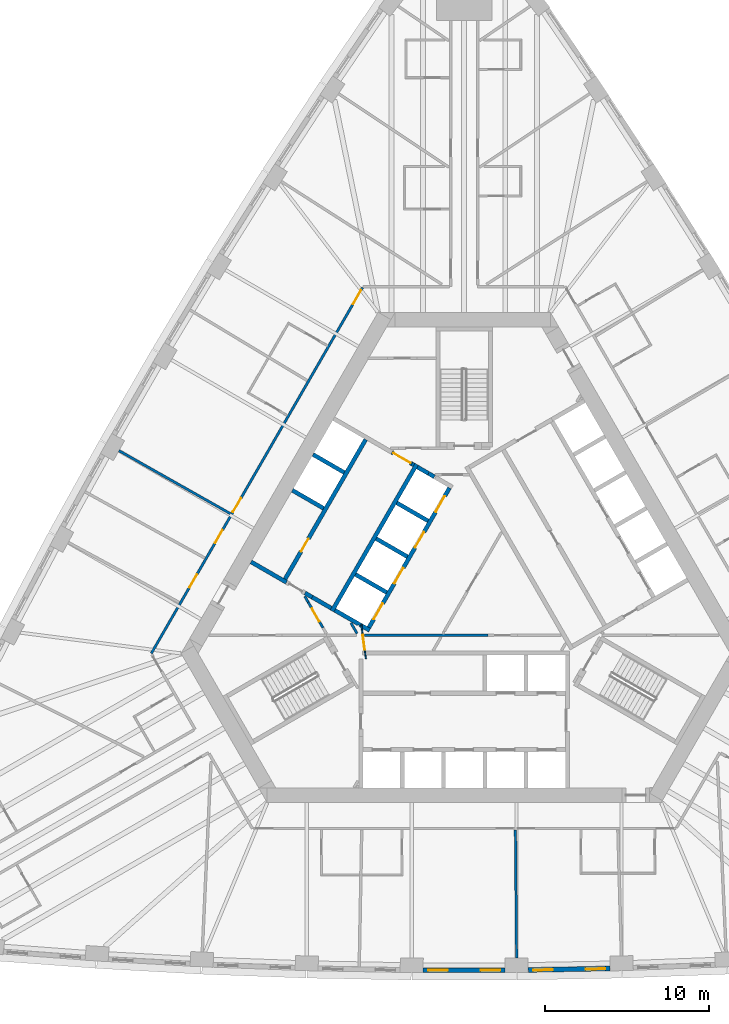
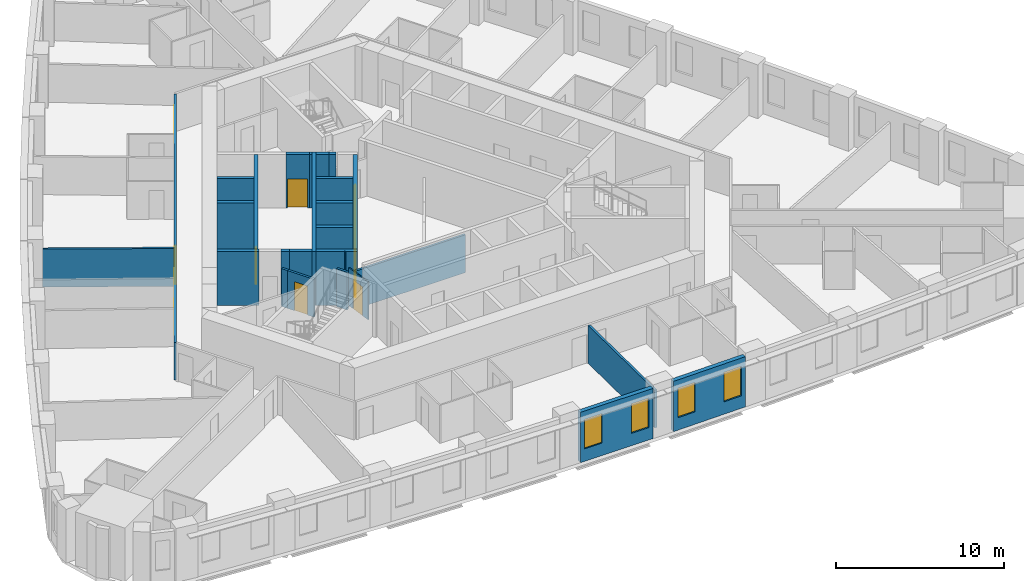
# One storey, part 5 of 13: 26 walls, 12 doors, 4 windows, 16 openings.
"""IFC4 building model written with IfcOpenShell, lengths in metres."""

from ifc_helpers import new_model, si_unit, direction, frame, frame_2d, origin, place, context, subcontext, project, spatial, polyline, rectangle, outline, extrude, material, layer, layer_set, type_object, element, fill, save


model = new_model("IFC4")

# Units and contexts
model_context = context("Model", 3, precision=1e-05, world=origin(), true_north=direction((0.0, 1.0)))
body_context = subcontext(model_context, "Body", "Model", "MODEL_VIEW")
ifc_project = project(units=[si_unit("LENGTHUNIT", "METRE"), si_unit("AREAUNIT", "SQUARE_METRE"), si_unit("VOLUMEUNIT", "CUBIC_METRE"), si_unit("PLANEANGLEUNIT", "RADIAN"), si_unit("MASSUNIT", "GRAM", prefix="KILO")], contexts=[model_context])

# Site, building, storey
site_placement = place(None, origin())
site = spatial("IfcSite", under=ifc_project, at=site_placement, CompositionType="ELEMENT")
building_placement = place(site_placement, origin())
building = spatial("IfcBuilding", under=site, at=building_placement, Name="Mestral Congress Tower", CompositionType="ELEMENT")
storey_placement = place(building_placement, frame((0.0, 0.0, 62.699951171875)))
storey = spatial("IfcBuildingStorey", under=building, at=storey_placement, Name="L14", CompositionType="ELEMENT", Elevation=62.699951171875)

# Walls
ifc_material_1 = material(Name="Fire-rated board partition")
ifc_layer_1 = layer(ifc_material_1, 0.14990234375)
ifc_layer_set_1 = layer_set([ifc_layer_1], Name="Fire-rated board partition")
wall_type_1 = type_object("IfcWallType", Name="Core partition 150", PredefinedType="PARTITIONING", material=ifc_layer_set_1)
wall_1_placement = place(storey_placement, frame((-6.53076171875, -2.68896484375, 0.0), z_axis=(0.0, 0.0, 1.0), x_axis=(-0.499967446111, 0.866044197965, 0.0)))
element("IfcWall", 1, at=wall_1_placement, inside=storey, type_object=wall_type_1, Name="L14 core wall", PredefinedType="PARTITIONING", context=body_context, shape_type="SweptSolid", body=[
    extrude(rectangle(XDim=0.74755859375, YDim=0.14990234375, at=frame_2d((0.373779296875, 0.0))), origin(), (0.0, 0.0, 1.0), 2.75),
])
wall_2_placement = place(storey_placement, frame((-6.086181640625, -2.801025390625, 0.0), z_axis=(0.0, 0.0, 1.0), x_axis=(1.0, 0.0, 0.0)))
element("IfcWall", 2, at=wall_2_placement, inside=storey, type_object=wall_type_1, Name="L14 core wall", PredefinedType="PARTITIONING", context=body_context, shape_type="SweptSolid", body=[
    extrude(rectangle(XDim=7.5244140625, YDim=0.14990234375, at=frame_2d((3.76220703125, 0.0))), origin(), (0.0, 0.0, 1.0), 2.75),
])
wall_3_placement = place(storey_placement, frame((-9.511962890625, -0.774658203125, 0.0), z_axis=(0.0, 0.0, 1.0), x_axis=(-0.500080620599, 0.865978852456, 0.0)))
element("IfcWall", 3, at=wall_3_placement, inside=storey, type_object=wall_type_1, Name="L14 core wall", PredefinedType="PARTITIONING", context=body_context, shape_type="SweptSolid", body=[
    extrude(rectangle(XDim=0.4130859375, YDim=0.14990234375, at=frame_2d((0.20654296875, 0.0))), origin(), (0.0, 0.0, 1.0), 2.75),
])

# Wall, opening, door
wall_4_placement = place(storey_placement, frame((-8.612060546875, -2.33349609375, 0.0), z_axis=(0.0, 0.0, 1.0), x_axis=(-0.499961193289, 0.866047807691, 0.0)))
wall_4 = element("IfcWall", 4, at=wall_4_placement, inside=storey, type_object=wall_type_1, Name="L14 door wall", PredefinedType="PARTITIONING", context=body_context, shape_type="SweptSolid", body=[
    extrude(rectangle(XDim=1.800048828125, YDim=0.14990234375, at=frame_2d((0.89990234375, 0.0))), origin(), (0.0, 0.0, 1.0), 2.75),
])
opening_1_placement = place(wall_4_placement, frame((0.449951171875, 0.0, 0.0)))
opening_1 = element("IfcOpeningElement", 5, at=opening_1_placement, cuts=wall_4, Name="Opening SD-HUB5", PredefinedType="OPENING", context=body_context, shape_type="SweptSolid", body=[
    extrude(rectangle(XDim=0.89990234375, YDim=2.10009765625, at=frame_2d((0.449951171875, 1.050048828125))), frame((0.0, 0.0849609375, 0.0), z_axis=(0.0, -1.0, 0.0), x_axis=(1.0, 0.0, 0.0)), (0.0, 0.0, 1.0), 0.169921875),
])
ifc_material_2 = material(Name="Fire-rated steel door set", Category="steel")
door_type_1 = type_object("IfcDoorType", Name="Core door SR 900x2100", OperationType="SINGLE_SWING_LEFT", PredefinedType="DOOR", material=ifc_material_2)
door_1_placement = place(opening_1_placement, origin())
door_1 = element("IfcDoor", 6, at=door_1_placement, inside=storey, type_object=door_type_1, Name="Door SD-HUB5", OperationType="SINGLE_SWING_LEFT", OverallHeight=2.10009765625, OverallWidth=0.89990234375, PredefinedType="DOOR", context=body_context, shape_type="SweptSolid", body=[
    extrude(rectangle(XDim=0.89990234375, YDim=2.10009765625, at=frame_2d((0.449951171875, 1.050048828125))), frame((0.0, 0.02490234375, 0.0), z_axis=(0.0, -1.0, 0.0), x_axis=(1.0, 0.0, 0.0)), (0.0, 0.0, 1.0), 0.050048828125),
])
fill(opening_1, door_1)

ifc_layer_2 = layer(ifc_material_1, 0.075927734375)
ifc_layer_set_2 = layer_set([ifc_layer_2], Name="Fire-rated board partition")
wall_type_2 = type_object("IfcWallType", Name="Core partition 150 door-wall 76", PredefinedType="PARTITIONING", material=ifc_layer_set_2)
wall_5_placement = place(storey_placement, frame((-5.99462890625, -4.213134765625, 0.0), z_axis=(0.0, 0.0, 1.0), x_axis=(-0.132072335448, 0.991240081014, 0.0)))
wall_5 = element("IfcWall", 7, at=wall_5_placement, inside=storey, type_object=wall_type_2, Name="L14 door wall", PredefinedType="PARTITIONING", context=body_context, shape_type="SweptSolid", body=[
    extrude(rectangle(XDim=2.099853515625, YDim=0.07568359375, at=frame_2d((1.0498046875, 0.0))), origin(), (0.0, 0.0, 1.0), 2.75),
])
opening_2_placement = place(wall_5_placement, frame((0.550048828125, 0.0, 0.0)))
opening_2 = element("IfcOpeningElement", 8, at=opening_2_placement, cuts=wall_5, Name="Opening CD3-HUB4", PredefinedType="OPENING", context=body_context, shape_type="SweptSolid", body=[
    extrude(rectangle(XDim=0.89990234375, YDim=2.10009765625, at=frame_2d((0.449951171875, 1.050048828125))), frame((0.0, 0.0478515625, 0.0), z_axis=(0.0, -1.0, 0.0), x_axis=(1.0, 0.0, 0.0)), (0.0, 0.0, 1.0), 0.095703125),
])
door_type_2 = type_object("IfcDoorType", Name="Core door CD 900x2100", OperationType="SINGLE_SWING_LEFT", PredefinedType="DOOR", material=ifc_material_2)
door_2_placement = place(opening_2_placement, origin())
door_2 = element("IfcDoor", 9, at=door_2_placement, inside=storey, type_object=door_type_2, Name="Door CD3-HUB4", OperationType="SINGLE_SWING_LEFT", OverallHeight=2.10009765625, OverallWidth=0.89990234375, PredefinedType="DOOR", context=body_context, shape_type="SweptSolid", body=[
    extrude(rectangle(XDim=0.89990234375, YDim=2.10009765625, at=frame_2d((0.449951171875, 1.050048828125))), frame((0.0, 0.02490234375, 0.0), z_axis=(0.0, -1.0, 0.0), x_axis=(1.0, 0.0, 0.0)), (0.0, 0.0, 1.0), 0.050048828125),
])
fill(opening_2, door_2)

# Wall, openings, windows
ifc_material_3 = material(Name="Precast concrete C40/50 with limestone facing", Category="masonry")
ifc_layer_3 = layer(ifc_material_3, 0.2900390625)
ifc_layer_set_3 = layer_set([ifc_layer_3], Name="Precast concrete C40/50 with limestone facing")
wall_type_3 = type_object("IfcWallType", Name="Facade stone wall 290", PredefinedType="SOLIDWALL", material=ifc_layer_set_3)
wall_6_placement = place(storey_placement, frame((-2.4990234375, -23.21826171875, 0.0), z_axis=(0.0, 0.0, 1.0), x_axis=(1.0, 0.0, 0.0)))
wall_6 = element("IfcWall", 10, at=wall_6_placement, inside=storey, type_object=wall_type_3, Name="Facade wall F0-04", PredefinedType="SOLIDWALL", context=body_context, shape_type="SweptSolid", body=[
    extrude(rectangle(XDim=4.998046875, YDim=0.2900390625, at=frame_2d((2.4990234375, 0.0))), origin(), (0.0, 0.0, 1.0), 3.650146484375),
])
opening_3_placement = place(wall_6_placement, frame((0.297119140625, 0.0, 0.89990234375)))
opening_3 = element("IfcOpeningElement", 11, at=opening_3_placement, cuts=wall_6, Name="Opening W1", PredefinedType="OPENING", context=body_context, shape_type="SweptSolid", body=[
    extrude(rectangle(XDim=1.199951171875, YDim=2.14990234375, at=frame_2d((0.60009765625, 1.074951171875))), frame((0.0, 0.155029296875, 0.0), z_axis=(0.0, -1.0, 0.0), x_axis=(1.0, 0.0, 0.0)), (0.0, 0.0, 1.0), 0.31005859375),
])
opening_4_placement = place(wall_6_placement, frame((3.501220703125, 0.0, 0.89990234375)))
opening_4 = element("IfcOpeningElement", 12, at=opening_4_placement, cuts=wall_6, Name="Opening W1", PredefinedType="OPENING", context=body_context, shape_type="SweptSolid", body=[
    extrude(rectangle(XDim=1.199951171875, YDim=2.14990234375, at=frame_2d((0.60009765625, 1.074951171875))), frame((0.0, 0.155029296875, 0.0), z_axis=(0.0, -1.0, 0.0), x_axis=(1.0, 0.0, 0.0)), (0.0, 0.0, 1.0), 0.31005859375),
])
ifc_material_4 = material(Name="Clear low-emissivity double glazing", Category="glass")
window_type = type_object("IfcWindowType", Name="Facade punched window 1200 x 2150 sill 900", PartitioningType="DOUBLE_PANEL_VERTICAL", PredefinedType="WINDOW", material=ifc_material_4)
window_1_placement = place(opening_3_placement, origin())
window_1 = element("IfcWindow", 13, at=window_1_placement, inside=storey, type_object=window_type, Name="Window F0-04a", OverallHeight=2.14990234375, OverallWidth=1.199951171875, PartitioningType="DOUBLE_PANEL_VERTICAL", PredefinedType="WINDOW", context=body_context, shape_type="SweptSolid", body=[
    extrude(rectangle(XDim=1.199951171875, YDim=2.14990234375, at=frame_2d((0.60009765625, 1.074951171875))), frame((0.0, 0.01513671875, 0.0), z_axis=(0.0, -1.0, 0.0), x_axis=(1.0, 0.0, 0.0)), (0.0, 0.0, 1.0), 0.06005859375),
])
fill(opening_3, window_1)
window_2_placement = place(opening_4_placement, origin())
window_2 = element("IfcWindow", 14, at=window_2_placement, inside=storey, type_object=window_type, Name="Window F0-04b", OverallHeight=2.14990234375, OverallWidth=1.199951171875, PartitioningType="DOUBLE_PANEL_VERTICAL", PredefinedType="WINDOW", context=body_context, shape_type="SweptSolid", body=[
    extrude(rectangle(XDim=1.199951171875, YDim=2.14990234375, at=frame_2d((0.60009765625, 1.074951171875))), frame((0.0, 0.01513671875, 0.0), z_axis=(0.0, -1.0, 0.0), x_axis=(1.0, 0.0, 0.0)), (0.0, 0.0, 1.0), 0.06005859375),
])
fill(opening_4, window_2)

wall_7_placement = place(storey_placement, frame((3.90625, -23.205078125, 0.0), z_axis=(0.0, 0.0, 1.0), x_axis=(0.999829529479, 0.018463801951, 0.0)))
wall_7 = element("IfcWall", 15, at=wall_7_placement, inside=storey, type_object=wall_type_3, Name="Facade wall F0-05", PredefinedType="SOLIDWALL", context=body_context, shape_type="SweptSolid", body=[
    extrude(rectangle(XDim=4.998046875, YDim=0.2900390625, at=frame_2d((2.4990234375, 0.0))), origin(), (0.0, 0.0, 1.0), 3.650146484375),
])
opening_5_placement = place(wall_7_placement, frame((0.297119140625, 0.0, 0.89990234375)))
opening_5 = element("IfcOpeningElement", 16, at=opening_5_placement, cuts=wall_7, Name="Opening W1", PredefinedType="OPENING", context=body_context, shape_type="SweptSolid", body=[
    extrude(rectangle(XDim=1.199951171875, YDim=2.14990234375, at=frame_2d((0.60009765625, 1.074951171875))), frame((0.0, 0.155029296875, 0.0), z_axis=(0.0, -1.0, 0.0), x_axis=(1.0, 0.0, 0.0)), (0.0, 0.0, 1.0), 0.31005859375),
])
opening_6_placement = place(wall_7_placement, frame((3.501220703125, 0.0, 0.89990234375)))
opening_6 = element("IfcOpeningElement", 17, at=opening_6_placement, cuts=wall_7, Name="Opening W1", PredefinedType="OPENING", context=body_context, shape_type="SweptSolid", body=[
    extrude(rectangle(XDim=1.199951171875, YDim=2.14990234375, at=frame_2d((0.60009765625, 1.074951171875))), frame((0.0, 0.155029296875, 0.0), z_axis=(0.0, -1.0, 0.0), x_axis=(1.0, 0.0, 0.0)), (0.0, 0.0, 1.0), 0.31005859375),
])
window_3_placement = place(opening_5_placement, origin())
window_3 = element("IfcWindow", 18, at=window_3_placement, inside=storey, type_object=window_type, Name="Window F0-05a", OverallHeight=2.14990234375, OverallWidth=1.199951171875, PartitioningType="DOUBLE_PANEL_VERTICAL", PredefinedType="WINDOW", context=body_context, shape_type="SweptSolid", body=[
    extrude(rectangle(XDim=1.199951171875, YDim=2.14990234375, at=frame_2d((0.60009765625, 1.074951171875))), frame((0.0, 0.01513671875, 0.0), z_axis=(0.0, -1.0, 0.0), x_axis=(1.0, 0.0, 0.0)), (0.0, 0.0, 1.0), 0.06005859375),
])
fill(opening_5, window_3)
window_4_placement = place(opening_6_placement, origin())
window_4 = element("IfcWindow", 19, at=window_4_placement, inside=storey, type_object=window_type, Name="Window F0-05b", OverallHeight=2.14990234375, OverallWidth=1.199951171875, PartitioningType="DOUBLE_PANEL_VERTICAL", PredefinedType="WINDOW", context=body_context, shape_type="SweptSolid", body=[
    extrude(rectangle(XDim=1.199951171875, YDim=2.14990234375, at=frame_2d((0.60009765625, 1.074951171875))), frame((0.0, 0.01513671875, 0.0), z_axis=(0.0, -1.0, 0.0), x_axis=(1.0, 0.0, 0.0)), (0.0, 0.0, 1.0), 0.06005859375),
])
fill(opening_6, window_4)

# Wall, openings, doors
ifc_material_5 = material(Name="Gypsum board partition on metal studs with mineral wool", Category="composite")
ifc_layer_4 = layer(ifc_material_5, 0.14990234375)
ifc_layer_set_4 = layer_set([ifc_layer_4], Name="Gypsum board partition on metal studs with mineral wool")
wall_type_4 = type_object("IfcWallType", Name="Hotel partition wall 150", PredefinedType="PARTITIONING", material=ifc_layer_set_4)
wall_8_placement = place(storey_placement, frame((-19.081298828125, -3.89990234375, 0.0), z_axis=(0.0, 0.0, 1.0), x_axis=(0.499998313975, 0.866026377209, 0.0)))
wall_8 = element("IfcWall", 20, at=wall_8_placement, inside=storey, type_object=wall_type_4, Name="L14-h-cw08", PredefinedType="PARTITIONING", context=body_context, shape_type="SweptSolid", body=[
    extrude(rectangle(XDim=25.76611328125, YDim=0.14990234375, at=frame_2d((12.883056640625, 0.0))), origin(), (0.0, 0.0, 1.0), 2.75),
])
opening_7_placement = place(wall_8_placement, frame((24.58642578125, 0.0, 0.0)))
opening_7 = element("IfcOpeningElement", 21, at=opening_7_placement, cuts=wall_8, Name="Opening H04-035", PredefinedType="OPENING", context=body_context, shape_type="SweptSolid", body=[
    extrude(rectangle(XDim=1.0, YDim=2.10009765625, at=frame_2d((0.5, 1.050048828125))), frame((0.0, 0.0849609375, 0.0), z_axis=(0.0, -1.0, 0.0), x_axis=(1.0, 0.0, 0.0)), (0.0, 0.0, 1.0), 0.169921875),
])
opening_8_placement = place(wall_8_placement, frame((9.94775390625, 0.0, 0.0)))
opening_8 = element("IfcOpeningElement", 22, at=opening_8_placement, cuts=wall_8, Name="Opening H04-037", PredefinedType="OPENING", context=body_context, shape_type="SweptSolid", body=[
    extrude(rectangle(XDim=1.0, YDim=2.10009765625, at=frame_2d((0.5, 1.050048828125))), frame((0.0, 0.0849609375, 0.0), z_axis=(0.0, -1.0, 0.0), x_axis=(1.0, 0.0, 0.0)), (0.0, 0.0, 1.0), 0.169921875),
])
opening_9_placement = place(wall_8_placement, frame((7.7822265625, 0.0, 0.0)))
opening_9 = element("IfcOpeningElement", 23, at=opening_9_placement, cuts=wall_8, Name="Opening H04-039", PredefinedType="OPENING", context=body_context, shape_type="SweptSolid", body=[
    extrude(rectangle(XDim=0.89990234375, YDim=2.10009765625, at=frame_2d((0.449951171875, 1.050048828125))), frame((0.0, 0.0849609375, 0.0), z_axis=(0.0, -1.0, 0.0), x_axis=(1.0, 0.0, 0.0)), (0.0, 0.0, 1.0), 0.169921875),
])
opening_10_placement = place(wall_8_placement, frame((4.65771484375, 0.0, 0.0)))
opening_10 = element("IfcOpeningElement", 24, at=opening_10_placement, cuts=wall_8, Name="Opening H04-040", PredefinedType="OPENING", context=body_context, shape_type="SweptSolid", body=[
    extrude(rectangle(XDim=0.89990234375, YDim=2.10009765625, at=frame_2d((0.449951171875, 1.050048828125))), frame((0.0, 0.0849609375, 0.0), z_axis=(0.0, -1.0, 0.0), x_axis=(1.0, 0.0, 0.0)), (0.0, 0.0, 1.0), 0.169921875),
])
ifc_material_6 = material(Name="Timber veneer door leaf in metal frame", Category="wood")
door_type_3 = type_object("IfcDoorType", Name="Guest room entrance door 1000", OperationType="SINGLE_SWING_LEFT", PredefinedType="DOOR", material=ifc_material_6)
door_3_placement = place(opening_7_placement, origin())
door_3 = element("IfcDoor", 25, at=door_3_placement, inside=storey, type_object=door_type_3, Name="L14-h-d035", OperationType="SINGLE_SWING_RIGHT", OverallHeight=2.10009765625, OverallWidth=1.0, PredefinedType="DOOR", context=body_context, shape_type="SweptSolid", body=[
    extrude(rectangle(XDim=1.0, YDim=2.10009765625, at=frame_2d((0.5, 1.050048828125))), frame((0.0, 0.02490234375, 0.0), z_axis=(0.0, -1.0, 0.0), x_axis=(1.0, 0.0, 0.0)), (0.0, 0.0, 1.0), 0.050048828125),
])
fill(opening_7, door_3)
door_4_placement = place(opening_8_placement, origin())
door_4 = element("IfcDoor", 26, at=door_4_placement, inside=storey, type_object=door_type_3, Name="L14-h-d037", OperationType="SINGLE_SWING_LEFT", OverallHeight=2.10009765625, OverallWidth=1.0, PredefinedType="DOOR", context=body_context, shape_type="SweptSolid", body=[
    extrude(rectangle(XDim=1.0, YDim=2.10009765625, at=frame_2d((0.5, 1.050048828125))), frame((0.0, 0.02490234375, 0.0), z_axis=(0.0, -1.0, 0.0), x_axis=(1.0, 0.0, 0.0)), (0.0, 0.0, 1.0), 0.050048828125),
])
fill(opening_8, door_4)
door_type_4 = type_object("IfcDoorType", Name="Service room door 900", OperationType="SINGLE_SWING_LEFT", PredefinedType="DOOR", material=ifc_material_6)
door_5_placement = place(opening_9_placement, origin())
door_5 = element("IfcDoor", 27, at=door_5_placement, inside=storey, type_object=door_type_4, Name="L14-h-d039", OperationType="SINGLE_SWING_RIGHT", OverallHeight=2.10009765625, OverallWidth=0.89990234375, PredefinedType="DOOR", context=body_context, shape_type="SweptSolid", body=[
    extrude(rectangle(XDim=0.89990234375, YDim=2.10009765625, at=frame_2d((0.449951171875, 1.050048828125))), frame((0.0, 0.02490234375, 0.0), z_axis=(0.0, -1.0, 0.0), x_axis=(1.0, 0.0, 0.0)), (0.0, 0.0, 1.0), 0.050048828125),
])
fill(opening_9, door_5)
door_6_placement = place(opening_10_placement, origin())
door_6 = element("IfcDoor", 28, at=door_6_placement, inside=storey, type_object=door_type_4, Name="L14-h-d040", OperationType="SINGLE_SWING_LEFT", OverallHeight=2.10009765625, OverallWidth=0.89990234375, PredefinedType="DOOR", context=body_context, shape_type="SweptSolid", body=[
    extrude(rectangle(XDim=0.89990234375, YDim=2.10009765625, at=frame_2d((0.449951171875, 1.050048828125))), frame((0.0, 0.02490234375, 0.0), z_axis=(0.0, -1.0, 0.0), x_axis=(1.0, 0.0, 0.0)), (0.0, 0.0, 1.0), 0.050048828125),
])
fill(opening_10, door_6)

# Walls
for number, where, z_axis, x_axis, name in (
    (29, (-21.051513671875, 8.464111328125, 0.0), (0.0, 0.0, 1.0), (0.87059371954, -0.492002617368, 0.0), "L14-h-pw06"),
    (30, (3.19580078125, -22.463134765625, 0.0), (0.0, 0.0, 1.0), (-0.00926060032, 0.999957119721, 0.0), "L14-h-pw14"),
):
    element("IfcWall", number, at=place(storey_placement, frame(where, z_axis=z_axis, x_axis=x_axis)), inside=storey, type_object=wall_type_4, Name=name, PredefinedType="PARTITIONING", context=body_context, shape_type="SweptSolid", body=[
        extrude(rectangle(XDim=7.803466796875, YDim=0.14990234375, at=frame_2d((3.90185546875, 0.0))), origin(), (0.0, 0.0, 1.0), 2.75),
    ])
ifc_material_7 = material(Name="Concrete C60/75", Category="concrete")
ifc_layer_5 = layer(ifc_material_7, 0.25)
ifc_layer_set_5 = layer_set([ifc_layer_5], Name="Concrete C60/75")
wall_type_5 = type_object("IfcWallType", Name="Shaft wall RC 250", PredefinedType="SOLIDWALL", material=ifc_layer_set_5)
wall_9_placement = place(storey_placement, frame((-8.06005859375, -1.310546875, 0.0), z_axis=(0.0, 0.0, 1.0), x_axis=(0.50000273126, 0.866023826885, 0.0)))
element("IfcWall", 31, at=wall_9_placement, inside=storey, type_object=wall_type_5, Name="L14 core wall", PredefinedType="SOLIDWALL", context=body_context, shape_type="SweptSolid", body=[
    extrude(rectangle(XDim=10.330078125, YDim=0.25, at=frame_2d((5.1650390625, 0.0))), origin(), (0.0, 0.0, 1.0), 3.900146484375),
])
wall_10_placement = place(storey_placement, frame((-1.818603515625, 6.869873046875, 0.0), z_axis=(0.0, 0.0, 1.0), x_axis=(-0.866294599386, 0.499533449405, 0.0)))
element("IfcWall", 32, at=wall_10_placement, inside=storey, type_object=wall_type_5, Name="L14 core wall", PredefinedType="SOLIDWALL", context=body_context, shape_type="SweptSolid", body=[
    extrude(rectangle(XDim=0.41015625, YDim=0.25, at=frame_2d((0.205078125, 0.0))), origin(), (0.0, 0.0, 1.0), 3.900146484375),
])
wall_11_placement = place(storey_placement, frame((-2.849365234375, 7.46484375, 0.0), z_axis=(0.0, 0.0, 1.0), x_axis=(0.865955664968, -0.500120771724, 0.0)))
element("IfcWall", 33, at=wall_11_placement, inside=storey, type_object=wall_type_5, Name="L14 core wall", PredefinedType="SOLIDWALL", context=body_context, shape_type="SweptSolid", body=[
    extrude(rectangle(XDim=0.778076171875, YDim=0.25, at=frame_2d((0.38916015625, 0.0))), origin(), (0.0, 0.0, 1.0), 3.900146484375),
])
for number, where, z_axis, x_axis, name in (
    (34, (-2.2041015625, 4.182373046875, 0.0), (0.0, 0.0, 1.0), (-0.866008176907, 0.50002983664, 0.0), "L14 core wall"),
    (35, (-5.369384765625, 3.10009765625, 0.0), (0.0, 0.0, 1.0), (0.866008176907, -0.50002983664, 0.0), "L14 core wall"),
    (36, (-4.72412109375, -0.182373046875, 0.0), (0.0, 0.0, 1.0), (-0.866008176907, 0.50002983664, 0.0), "L14 core wall"),
):
    element("IfcWall", number, at=place(storey_placement, frame(where, z_axis=z_axis, x_axis=x_axis)), inside=storey, type_object=wall_type_5, Name=name, PredefinedType="SOLIDWALL", context=body_context, shape_type="SweptSolid", body=[
        extrude(rectangle(XDim=2.199951171875, YDim=0.25, at=frame_2d((1.10009765625, 0.0))), origin(), (0.0, 0.0, 1.0), 3.900146484375),
    ])
placement = place(storey_placement, origin())
element("IfcWall", 37, at=placement, inside=storey, type_object=wall_type_5, Name="L14 core wall", PredefinedType="SOLIDWALL", context=body_context, shape_type="SweptSolid", body=[
    extrude(outline(polyline([(-5.921630859375, -2.256591796875), (-5.921630859375, -2.256591796875), (-5.705078125, -2.381591796875), (-5.830078125, -2.597900390625), (-6.41845703125, -2.25830078125), (-6.4326171875, -2.153076171875), (-6.4326171875, -2.15283203125), (-6.4326171875, -2.15283203125), (-6.5078125, -2.162841796875), (-6.5078125, -2.162841796875), (-6.5078125, -2.1630859375), (-6.50146484375, -2.21044921875), (-7.951904296875, -1.373046875), (-7.826904296875, -1.156494140625), (-5.921630859375, -2.256591796875)])), origin(), (0.0, 0.0, 1.0), 3.900146484375),
])
wall_13_placement = place(storey_placement, frame((-9.7080078125, -0.21484375, 0.0), z_axis=(0.0, 0.0, 1.0), x_axis=(0.866113839764, -0.499846793097, 0.0)))
element("IfcWall", 38, at=wall_13_placement, inside=storey, type_object=wall_type_5, Name="L14 core wall", PredefinedType="SOLIDWALL", context=body_context, shape_type="SweptSolid", body=[
    extrude(rectangle(XDim=0.510009765625, YDim=0.25, at=frame_2d((0.2548828125, 0.0))), origin(), (0.0, 0.0, 1.0), 3.900146484375),
])
wall_14_placement = place(storey_placement, frame((-12.998779296875, 1.685302734375, 0.0), z_axis=(0.0, 0.0, 1.0), x_axis=(0.865996765544, -0.500049599607, 0.0)))
element("IfcWall", 39, at=wall_14_placement, inside=storey, type_object=wall_type_5, Name="L14 core wall", PredefinedType="SOLIDWALL", context=body_context, shape_type="SweptSolid", body=[
    extrude(rectangle(XDim=2.497802734375, YDim=0.25, at=frame_2d((1.2490234375, 0.0))), origin(), (0.0, 0.0, 1.0), 3.900146484375),
])
wall_15_placement = place(storey_placement, frame((-9.2646484375, -0.470703125, 0.0), z_axis=(0.0, 0.0, 1.0), x_axis=(0.865954634268, -0.500122556369, 0.0)))
element("IfcWall", 40, at=wall_15_placement, inside=storey, type_object=wall_type_5, Name="L14 core wall", PredefinedType="SOLIDWALL", context=body_context, shape_type="SweptSolid", body=[
    extrude(rectangle(XDim=1.338134765625, YDim=0.25, at=frame_2d((0.6689453125, 0.0))), origin(), (0.0, 0.0, 1.0), 3.900146484375),
])
element("IfcWall", 41, at=placement, inside=storey, type_object=wall_type_5, Name="L14 core wall", PredefinedType="SOLIDWALL", context=body_context, shape_type="SweptSolid", body=[
    extrude(outline(polyline([(-3.12841796875, 7.4814453125), (-3.2587890625, 7.556640625), (-3.1337890625, 7.773193359375), (-3.00341796875, 7.697998046875), (-3.12841796875, 7.4814453125)])), origin(), (0.0, 0.0, 1.0), 3.900146484375),
])
for number, where, z_axis, x_axis, name in (
    (42, (-8.57373046875, 4.949951171875, 0.0), (0.0, 0.0, 1.0), (-0.866008176907, 0.50002983664, 0.0), "L14 core wall"),
    (43, (-7.313720703125, 7.13232421875, 0.0), (0.0, 0.0, 1.0), (-0.866008176907, 0.50002983664, 0.0), "L14 core wall"),
):
    element("IfcWall", number, at=place(storey_placement, frame(where, z_axis=z_axis, x_axis=x_axis)), inside=storey, type_object=wall_type_5, Name=name, PredefinedType="SOLIDWALL", context=body_context, shape_type="SweptSolid", body=[
        extrude(rectangle(XDim=2.199951171875, YDim=0.25, at=frame_2d((1.10009765625, 0.0))), origin(), (0.0, 0.0, 1.0), 3.900146484375),
    ])

# Wall, opening, door
wall_17_placement = place(storey_placement, frame((-6.0078125, 9.14404296875, 0.0), z_axis=(0.0, 0.0, 1.0), x_axis=(-0.500006956611, -0.866021387346, 0.0)))
wall_17 = element("IfcWall", 44, at=wall_17_placement, inside=storey, type_object=wall_type_5, Name="L14 door wall", PredefinedType="SOLIDWALL", context=body_context, shape_type="SweptSolid", body=[
    extrude(rectangle(XDim=9.829833984375, YDim=0.25, at=frame_2d((4.9150390625, 0.0))), origin(), (0.0, 0.0, 1.0), 3.900146484375),
])
opening_11_placement = place(wall_17_placement, frame((6.985107421875, 0.0, 0.0)))
opening_11 = element("IfcOpeningElement", 45, at=opening_11_placement, cuts=wall_17, Name="Opening SR-NWA2", PredefinedType="OPENING", context=body_context, shape_type="SweptSolid", body=[
    extrude(rectangle(XDim=0.89990234375, YDim=2.10009765625, at=frame_2d((0.449951171875, 1.050048828125))), frame((0.0, 0.135009765625, 0.0), z_axis=(0.0, -1.0, 0.0), x_axis=(1.0, 0.0, 0.0)), (0.0, 0.0, 1.0), 0.27001953125),
])
door_7_placement = place(opening_11_placement, origin())
door_7 = element("IfcDoor", 46, at=door_7_placement, inside=storey, type_object=door_type_1, Name="Door SR-NWA2", OperationType="SINGLE_SWING_LEFT", OverallHeight=2.10009765625, OverallWidth=0.89990234375, PredefinedType="DOOR", context=body_context, shape_type="SweptSolid", body=[
    extrude(rectangle(XDim=0.89990234375, YDim=2.10009765625, at=frame_2d((0.449951171875, 1.050048828125))), frame((0.0, 0.02490234375, 0.0), z_axis=(0.0, -1.0, 0.0), x_axis=(1.0, 0.0, 0.0)), (0.0, 0.0, 1.0), 0.050048828125),
])
fill(opening_11, door_7)

# Wall, openings, doors
wall_18_placement = place(storey_placement, frame((-0.898193359375, 6.194091796875, 0.0), z_axis=(0.0, 0.0, 1.0), x_axis=(-0.499996202215, -0.866027596426, 0.0)))
wall_18 = element("IfcWall", 47, at=wall_18_placement, inside=storey, type_object=wall_type_5, Name="L14 door wall", PredefinedType="SOLIDWALL", context=body_context, shape_type="SweptSolid", body=[
    extrude(rectangle(XDim=9.830078125, YDim=0.25, at=frame_2d((4.9150390625, 0.0))), origin(), (0.0, 0.0, 1.0), 3.900146484375),
])
opening_12_placement = place(wall_18_placement, frame((0.5849609375, 0.0, 0.0)))
opening_12 = element("IfcOpeningElement", 48, at=opening_12_placement, cuts=wall_18, Name="Opening LD-NWB1", PredefinedType="OPENING", context=body_context, shape_type="SweptSolid", body=[
    extrude(rectangle(XDim=1.10009765625, YDim=2.10009765625, at=frame_2d((0.550048828125, 1.050048828125))), frame((0.0, 0.135009765625, 0.0), z_axis=(0.0, -1.0, 0.0), x_axis=(1.0, 0.0, 0.0)), (0.0, 0.0, 1.0), 0.27001953125),
])
opening_13_placement = place(wall_18_placement, frame((3.10498046875, 0.0, 0.0)))
opening_13 = element("IfcOpeningElement", 49, at=opening_13_placement, cuts=wall_18, Name="Opening LD-NWB2", PredefinedType="OPENING", context=body_context, shape_type="SweptSolid", body=[
    extrude(rectangle(XDim=1.10009765625, YDim=2.10009765625, at=frame_2d((0.550048828125, 1.050048828125))), frame((0.0, 0.135009765625, 0.0), z_axis=(0.0, -1.0, 0.0), x_axis=(1.0, 0.0, 0.0)), (0.0, 0.0, 1.0), 0.27001953125),
])
opening_14_placement = place(wall_18_placement, frame((5.625, 0.0, 0.0)))
opening_14 = element("IfcOpeningElement", 50, at=opening_14_placement, cuts=wall_18, Name="Opening LD-NWB3", PredefinedType="OPENING", context=body_context, shape_type="SweptSolid", body=[
    extrude(rectangle(XDim=1.10009765625, YDim=2.10009765625, at=frame_2d((0.550048828125, 1.050048828125))), frame((0.0, 0.135009765625, 0.0), z_axis=(0.0, -1.0, 0.0), x_axis=(1.0, 0.0, 0.0)), (0.0, 0.0, 1.0), 0.27001953125),
])
opening_15_placement = place(wall_18_placement, frame((8.14501953125, 0.0, 0.0)))
opening_15 = element("IfcOpeningElement", 51, at=opening_15_placement, cuts=wall_18, Name="Opening LD-NWB4", PredefinedType="OPENING", context=body_context, shape_type="SweptSolid", body=[
    extrude(rectangle(XDim=1.10009765625, YDim=2.10009765625, at=frame_2d((0.550048828125, 1.050048828125))), frame((0.0, 0.135009765625, 0.0), z_axis=(0.0, -1.0, 0.0), x_axis=(1.0, 0.0, 0.0)), (0.0, 0.0, 1.0), 0.27001953125),
])
door_type_5 = type_object("IfcDoorType", Name="Core door LD 1100x2100", OperationType="DOUBLE_DOOR_SLIDING", PredefinedType="DOOR", material=ifc_material_2)
door_8_placement = place(opening_12_placement, origin())
door_8 = element("IfcDoor", 52, at=door_8_placement, inside=storey, type_object=door_type_5, Name="Door LD-NWB1", OperationType="DOUBLE_DOOR_SLIDING", OverallHeight=2.10009765625, OverallWidth=1.10009765625, PredefinedType="DOOR", context=body_context, shape_type="SweptSolid", body=[
    extrude(rectangle(XDim=1.10009765625, YDim=2.10009765625, at=frame_2d((0.550048828125, 1.050048828125))), frame((0.0, 0.02490234375, 0.0), z_axis=(0.0, -1.0, 0.0), x_axis=(1.0, 0.0, 0.0)), (0.0, 0.0, 1.0), 0.050048828125),
])
fill(opening_12, door_8)
door_9_placement = place(opening_13_placement, origin())
door_9 = element("IfcDoor", 53, at=door_9_placement, inside=storey, type_object=door_type_5, Name="Door LD-NWB2", OperationType="DOUBLE_DOOR_SLIDING", OverallHeight=2.10009765625, OverallWidth=1.10009765625, PredefinedType="DOOR", context=body_context, shape_type="SweptSolid", body=[
    extrude(rectangle(XDim=1.10009765625, YDim=2.10009765625, at=frame_2d((0.550048828125, 1.050048828125))), frame((0.0, 0.02490234375, 0.0), z_axis=(0.0, -1.0, 0.0), x_axis=(1.0, 0.0, 0.0)), (0.0, 0.0, 1.0), 0.050048828125),
])
fill(opening_13, door_9)
door_10_placement = place(opening_14_placement, origin())
door_10 = element("IfcDoor", 54, at=door_10_placement, inside=storey, type_object=door_type_5, Name="Door LD-NWB3", OperationType="DOUBLE_DOOR_SLIDING", OverallHeight=2.10009765625, OverallWidth=1.10009765625, PredefinedType="DOOR", context=body_context, shape_type="SweptSolid", body=[
    extrude(rectangle(XDim=1.10009765625, YDim=2.10009765625, at=frame_2d((0.550048828125, 1.050048828125))), frame((0.0, 0.02490234375, 0.0), z_axis=(0.0, -1.0, 0.0), x_axis=(1.0, 0.0, 0.0)), (0.0, 0.0, 1.0), 0.050048828125),
])
fill(opening_14, door_10)
door_11_placement = place(opening_15_placement, origin())
door_11 = element("IfcDoor", 55, at=door_11_placement, inside=storey, type_object=door_type_5, Name="Door LD-NWB4", OperationType="DOUBLE_DOOR_SLIDING", OverallHeight=2.10009765625, OverallWidth=1.10009765625, PredefinedType="DOOR", context=body_context, shape_type="SweptSolid", body=[
    extrude(rectangle(XDim=1.10009765625, YDim=2.10009765625, at=frame_2d((0.550048828125, 1.050048828125))), frame((0.0, 0.02490234375, 0.0), z_axis=(0.0, -1.0, 0.0), x_axis=(1.0, 0.0, 0.0)), (0.0, 0.0, 1.0), 0.050048828125),
])
fill(opening_15, door_11)

# Wall, opening, door
wall_19_placement = place(storey_placement, frame((-4.40869140625, 8.364990234375, 0.0), z_axis=(0.0, 0.0, 1.0), x_axis=(0.866034573852, -0.49998411664, 0.0)))
wall_19 = element("IfcWall", 56, at=wall_19_placement, inside=storey, type_object=wall_type_5, Name="L14 door wall", PredefinedType="SOLIDWALL", context=body_context, shape_type="SweptSolid", body=[
    extrude(rectangle(XDim=1.39990234375, YDim=0.25, at=frame_2d((0.699951171875, 0.0))), origin(), (0.0, 0.0, 1.0), 3.900146484375),
])
opening_16_placement = place(wall_19_placement, frame((0.10009765625, 0.0, 0.0)))
opening_16 = element("IfcOpeningElement", 57, at=opening_16_placement, cuts=wall_19, Name="Opening LB2-WL2", PredefinedType="OPENING", context=body_context, shape_type="SweptSolid", body=[
    extrude(rectangle(XDim=1.199951171875, YDim=2.10009765625, at=frame_2d((0.60009765625, 1.050048828125))), frame((0.0, 0.135009765625, 0.0), z_axis=(0.0, -1.0, 0.0), x_axis=(1.0, 0.0, 0.0)), (0.0, 0.0, 1.0), 0.27001953125),
])
door_type_6 = type_object("IfcDoorType", Name="Core door LB 1200x2100", OperationType="SINGLE_SWING_LEFT", PredefinedType="DOOR", material=ifc_material_2)
door_12_placement = place(opening_16_placement, origin())
door_12 = element("IfcDoor", 58, at=door_12_placement, inside=storey, type_object=door_type_6, Name="Door LB2-WL2", OperationType="SINGLE_SWING_LEFT", OverallHeight=2.10009765625, OverallWidth=1.199951171875, PredefinedType="DOOR", context=body_context, shape_type="SweptSolid", body=[
    extrude(rectangle(XDim=1.199951171875, YDim=2.10009765625, at=frame_2d((0.60009765625, 1.050048828125))), frame((0.0, 0.02490234375, 0.0), z_axis=(0.0, -1.0, 0.0), x_axis=(1.0, 0.0, 0.0)), (0.0, 0.0, 1.0), 0.050048828125),
])
fill(opening_16, door_12)

save(model, "model.ifc")
